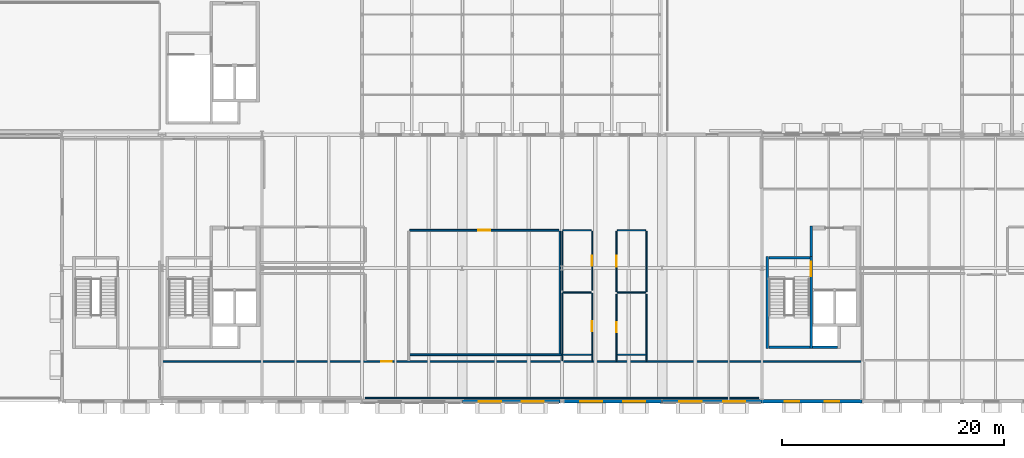
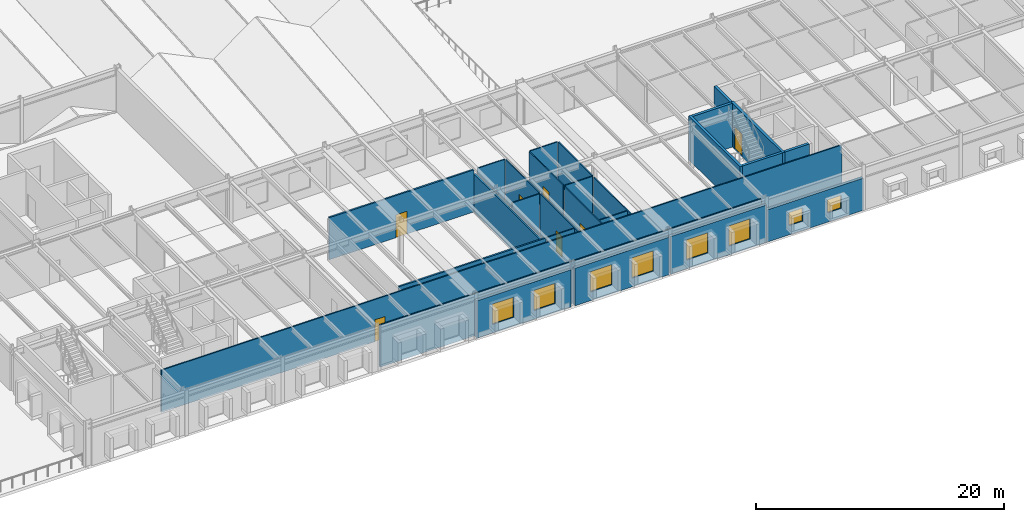
# One storey, part 132 of 142: 29 walls, 8 windows, 7 doors, 15 openings.
"""IFC4 building model written with IfcOpenShell, lengths in metres."""

from ifc_helpers import new_model, si_unit, direction, frame, frame_2d, origin, place, context, subcontext, project, spatial, rectangle, extrude, material, layer, layer_set, type_object, element, fill, save


model = new_model("IFC4")

# Units and contexts
model_context = context("Model", 3, precision=1e-05, world=origin(), true_north=direction((0.0, 1.0)))
body_context = subcontext(model_context, "Body", "Model", "MODEL_VIEW")
ifc_project = project(units=[si_unit("LENGTHUNIT", "METRE"), si_unit("AREAUNIT", "SQUARE_METRE"), si_unit("VOLUMEUNIT", "CUBIC_METRE"), si_unit("PLANEANGLEUNIT", "RADIAN"), si_unit("MASSUNIT", "GRAM", prefix="KILO")], contexts=[model_context])

# Site, building, storey
site_placement = place(None, origin())
site = spatial("IfcSite", under=ifc_project, at=site_placement, CompositionType="ELEMENT")
building_placement = place(site_placement, origin())
building = spatial("IfcBuilding", under=site, at=building_placement, Name="Montelvaro Courts of Justice", CompositionType="ELEMENT")
storey_placement = place(building_placement, frame((0.0, 0.0, 14.39990234375)))
storey = spatial("IfcBuildingStorey", under=building, at=storey_placement, Name="L03", CompositionType="ELEMENT", Elevation=14.39990234375)

# Wall
ifc_material_1 = material(Name="Gypsum board on metal stud")
ifc_layer_1 = layer(ifc_material_1, 0.14990234375)
ifc_layer_set_1 = layer_set([ifc_layer_1], Name="Gypsum board on metal stud")
wall_type_1 = type_object("IfcWallType", Name="ChambersPartition_150", PredefinedType="PARTITIONING", material=ifc_layer_set_1)
wall_1_placement = place(storey_placement, frame((89.955078125, 4.199951171875, 0.0), z_axis=(0.0, 0.0, 1.0), x_axis=(-1.0, 0.0, 0.0)))
element("IfcWall", 1, at=wall_1_placement, inside=storey, type_object=wall_type_1, Name="Interior Partition IW-04 (L03)", PredefinedType="PARTITIONING", context=body_context, shape_type="SweptSolid", body=[
    extrude(rectangle(XDim=13.675048828125, YDim=0.14990234375, at=frame_2d((6.83740234375, 0.0))), origin(), (0.0, 0.0, 1.0), 4.14013671875),
])

# Wall, opening, door
wall_2_placement = place(storey_placement, frame((76.280029296875, 15.39990234375, 0.0), z_axis=(0.0, 0.0, 1.0), x_axis=(1.0, 0.0, 0.0)))
wall_2 = element("IfcWall", 2, at=wall_2_placement, inside=storey, type_object=wall_type_1, Name="Interior Partition IW-04 (L03)", PredefinedType="PARTITIONING", context=body_context, shape_type="SweptSolid", body=[
    extrude(rectangle(XDim=13.43994140625, YDim=0.14990234375, at=frame_2d((6.719970703125, 0.0))), origin(), (0.0, 0.0, 1.0), 4.14013671875),
])
opening_1_placement = place(wall_2_placement, frame((6.195068359375, 0.0, 0.0)))
opening_1 = element("IfcOpeningElement", 3, at=opening_1_placement, cuts=wall_2, Name="Opening D-L03-127", PredefinedType="OPENING", context=body_context, shape_type="SweptSolid", body=[
    extrude(rectangle(XDim=1.050048828125, YDim=2.25, at=frame_2d((0.52490234375, 1.125))), frame((0.0, 0.08984375, 0.0), z_axis=(0.0, -1.0, 0.0), x_axis=(1.0, 0.0, 0.0)), (0.0, 0.0, 1.0), 0.1796875),
])
ifc_material_2 = material(Name="Acoustic oak timber veneer", Category="wood")
door_type_1 = type_object("IfcDoorType", Name="ChamberDoor_105x225", OperationType="NOTDEFINED", PredefinedType="DOOR", material=ifc_material_2)
door_1_placement = place(opening_1_placement, frame((1.050048828125, 0.0, 0.0), z_axis=(0.0, 0.0, 1.0), x_axis=(-1.0, 0.0, 0.0)))
door_1 = element("IfcDoor", 4, at=door_1_placement, inside=storey, type_object=door_type_1, Name="Interior Door D-L03-127 (Judicial Case Conference Room L03)", OperationType="SINGLE_SWING_LEFT", OverallHeight=2.25, OverallWidth=1.050048828125, PredefinedType="DOOR", context=body_context, shape_type="SweptSolid", body=[
    extrude(rectangle(XDim=1.050048828125, YDim=2.25, at=frame_2d((0.52490234375, 1.125))), frame((0.0, 0.02490234375, 0.0), z_axis=(0.0, -1.0, 0.0), x_axis=(1.0, 0.0, 0.0)), (0.0, 0.0, 1.0), 0.050048828125),
])
fill(opening_1, door_1)

# Wall
wall_3_placement = place(storey_placement, frame((89.800048828125, 15.320068359375, 0.0), z_axis=(0.0, 0.0, 1.0), x_axis=(0.0, -1.0, 0.0)))
element("IfcWall", 5, at=wall_3_placement, inside=storey, type_object=wall_type_1, Name="Interior Partition IW-04 (L03)", PredefinedType="PARTITIONING", context=body_context, shape_type="SweptSolid", body=[
    extrude(rectangle(XDim=11.050048828125, YDim=0.14990234375, at=frame_2d((5.52490234375, 0.0))), origin(), (0.0, 0.0, 1.0), 3.735107421875),
])

# Wall, openings, windows
ifc_material_3 = material(Name="White mineral precast concrete C45/55", Category="concrete")
ifc_layer_2 = layer(ifc_material_3, 0.300048828125)
ifc_layer_set_2 = layer_set([ifc_layer_2], Name="White mineral precast concrete C45/55")
wall_type_2 = type_object("IfcWallType", Name="ExtWall_GFRC_300", PredefinedType="SOLIDWALL", material=ifc_layer_set_2)
wall_4_placement = place(storey_placement, frame((81.05810546875, 0.0, 0.0), z_axis=(0.0, 0.0, 1.0), x_axis=(1.0, 0.0, 0.0)))
wall_4 = element("IfcWall", 6, at=wall_4_placement, inside=storey, type_object=wall_type_2, Name="Exterior Facade Wall EW-02 (L03)", PredefinedType="SOLIDWALL", context=body_context, shape_type="SweptSolid", body=[
    extrude(rectangle(XDim=8.763916015625, YDim=0.300048828125, at=frame_2d((4.3818359375, 0.0))), origin(), (0.0, 0.0, 1.0), 3.675048828125),
])
opening_2_placement = place(wall_4_placement, frame((1.4541015625, 0.0, 0.85009765625)))
opening_2 = element("IfcOpeningElement", 7, at=opening_2_placement, cuts=wall_4, Name="Opening WE-11", PredefinedType="OPENING", context=body_context, shape_type="SweptSolid", body=[
    extrude(rectangle(XDim=2.0, YDim=2.0, at=frame_2d((1.0, 1.0))), frame((0.0, 0.1650390625, 0.0), z_axis=(0.0, -1.0, 0.0), x_axis=(1.0, 0.0, 0.0)), (0.0, 0.0, 1.0), 0.329833984375),
])
opening_3_placement = place(wall_4_placement, frame((5.31005859375, 0.0, 0.85009765625)))
opening_3 = element("IfcOpeningElement", 8, at=opening_3_placement, cuts=wall_4, Name="Opening WE-11", PredefinedType="OPENING", context=body_context, shape_type="SweptSolid", body=[
    extrude(rectangle(XDim=2.0, YDim=2.0, at=frame_2d((1.0, 1.0))), frame((0.0, 0.1650390625, 0.0), z_axis=(0.0, -1.0, 0.0), x_axis=(1.0, 0.0, 0.0)), (0.0, 0.0, 1.0), 0.329833984375),
])
ifc_material_4 = material(Name="Low-E solar control double glazing", Category="glass")
window_type_1 = type_object("IfcWindowType", Name="Win_Sq_200x200", PartitioningType="SINGLE_PANEL", PredefinedType="WINDOW", material=ifc_material_4)
window_1_placement = place(opening_2_placement, origin())
window_1 = element("IfcWindow", 9, at=window_1_placement, inside=storey, type_object=window_type_1, Name="Window W-L03-161", OverallHeight=2.0, OverallWidth=2.0, PartitioningType="SINGLE_PANEL", PredefinedType="WINDOW", context=body_context, shape_type="SweptSolid", body=[
    extrude(rectangle(XDim=2.0, YDim=2.0, at=frame_2d((1.0, 1.0))), frame((0.0, 0.030029296875, 0.0), z_axis=(0.0, -1.0, 0.0), x_axis=(1.0, 0.0, 0.0)), (0.0, 0.0, 1.0), 0.06005859375),
])
fill(opening_2, window_1)
window_2_placement = place(opening_3_placement, origin())
window_2 = element("IfcWindow", 10, at=window_2_placement, inside=storey, type_object=window_type_1, Name="Window W-L03-162", OverallHeight=2.0, OverallWidth=2.0, PartitioningType="SINGLE_PANEL", PredefinedType="WINDOW", context=body_context, shape_type="SweptSolid", body=[
    extrude(rectangle(XDim=2.0, YDim=2.0, at=frame_2d((1.0, 1.0))), frame((0.0, 0.030029296875, 0.0), z_axis=(0.0, -1.0, 0.0), x_axis=(1.0, 0.0, 0.0)), (0.0, 0.0, 1.0), 0.06005859375),
])
fill(opening_3, window_2)

wall_5_placement = place(storey_placement, frame((90.177978515625, 0.0, 0.0), z_axis=(0.0, 0.0, 1.0), x_axis=(1.0, 0.0, 0.0)))
wall_5 = element("IfcWall", 11, at=wall_5_placement, inside=storey, type_object=wall_type_2, Name="Exterior Facade Wall EW-02 (L03)", PredefinedType="SOLIDWALL", context=body_context, shape_type="SweptSolid", body=[
    extrude(rectangle(XDim=8.763916015625, YDim=0.300048828125, at=frame_2d((4.3818359375, 0.0))), origin(), (0.0, 0.0, 1.0), 3.675048828125),
])
opening_4_placement = place(wall_5_placement, frame((1.4541015625, 0.0, 0.85009765625)))
opening_4 = element("IfcOpeningElement", 12, at=opening_4_placement, cuts=wall_5, Name="Opening WE-11", PredefinedType="OPENING", context=body_context, shape_type="SweptSolid", body=[
    extrude(rectangle(XDim=2.0, YDim=2.0, at=frame_2d((1.0, 1.0))), frame((0.0, 0.1650390625, 0.0), z_axis=(0.0, -1.0, 0.0), x_axis=(1.0, 0.0, 0.0)), (0.0, 0.0, 1.0), 0.329833984375),
])
opening_5_placement = place(wall_5_placement, frame((5.31005859375, 0.0, 0.85009765625)))
opening_5 = element("IfcOpeningElement", 13, at=opening_5_placement, cuts=wall_5, Name="Opening WE-11", PredefinedType="OPENING", context=body_context, shape_type="SweptSolid", body=[
    extrude(rectangle(XDim=2.0, YDim=2.0, at=frame_2d((1.0, 1.0))), frame((0.0, 0.1650390625, 0.0), z_axis=(0.0, -1.0, 0.0), x_axis=(1.0, 0.0, 0.0)), (0.0, 0.0, 1.0), 0.329833984375),
])
window_3_placement = place(opening_4_placement, origin())
window_3 = element("IfcWindow", 14, at=window_3_placement, inside=storey, type_object=window_type_1, Name="Window W-L03-163", OverallHeight=2.0, OverallWidth=2.0, PartitioningType="SINGLE_PANEL", PredefinedType="WINDOW", context=body_context, shape_type="SweptSolid", body=[
    extrude(rectangle(XDim=2.0, YDim=2.0, at=frame_2d((1.0, 1.0))), frame((0.0, 0.030029296875, 0.0), z_axis=(0.0, -1.0, 0.0), x_axis=(1.0, 0.0, 0.0)), (0.0, 0.0, 1.0), 0.06005859375),
])
fill(opening_4, window_3)
window_4_placement = place(opening_5_placement, origin())
window_4 = element("IfcWindow", 15, at=window_4_placement, inside=storey, type_object=window_type_1, Name="Window W-L03-164", OverallHeight=2.0, OverallWidth=2.0, PartitioningType="SINGLE_PANEL", PredefinedType="WINDOW", context=body_context, shape_type="SweptSolid", body=[
    extrude(rectangle(XDim=2.0, YDim=2.0, at=frame_2d((1.0, 1.0))), frame((0.0, 0.030029296875, 0.0), z_axis=(0.0, -1.0, 0.0), x_axis=(1.0, 0.0, 0.0)), (0.0, 0.0, 1.0), 0.06005859375),
])
fill(opening_5, window_4)

wall_6_placement = place(storey_placement, frame((99.05810546875, 0.0, 0.0), z_axis=(0.0, 0.0, 1.0), x_axis=(1.0, 0.0, 0.0)))
wall_6 = element("IfcWall", 16, at=wall_6_placement, inside=storey, type_object=wall_type_2, Name="Exterior Facade Wall EW-02 (L03)", PredefinedType="SOLIDWALL", context=body_context, shape_type="SweptSolid", body=[
    extrude(rectangle(XDim=8.933837890625, YDim=0.300048828125, at=frame_2d((4.466796875, 0.0))), origin(), (0.0, 0.0, 1.0), 3.675048828125),
])
opening_6_placement = place(wall_6_placement, frame((1.501953125, 0.0, 0.85009765625)))
opening_6 = element("IfcOpeningElement", 17, at=opening_6_placement, cuts=wall_6, Name="Opening WE-11", PredefinedType="OPENING", context=body_context, shape_type="SweptSolid", body=[
    extrude(rectangle(XDim=2.0, YDim=2.0, at=frame_2d((1.0, 1.0))), frame((0.0, 0.1650390625, 0.0), z_axis=(0.0, -1.0, 0.0), x_axis=(1.0, 0.0, 0.0)), (0.0, 0.0, 1.0), 0.329833984375),
])
opening_7_placement = place(wall_6_placement, frame((5.431884765625, 0.0, 0.85009765625)))
opening_7 = element("IfcOpeningElement", 18, at=opening_7_placement, cuts=wall_6, Name="Opening WE-11", PredefinedType="OPENING", context=body_context, shape_type="SweptSolid", body=[
    extrude(rectangle(XDim=2.0, YDim=2.0, at=frame_2d((1.0, 1.0))), frame((0.0, 0.1650390625, 0.0), z_axis=(0.0, -1.0, 0.0), x_axis=(1.0, 0.0, 0.0)), (0.0, 0.0, 1.0), 0.329833984375),
])
window_5_placement = place(opening_6_placement, origin())
window_5 = element("IfcWindow", 19, at=window_5_placement, inside=storey, type_object=window_type_1, Name="Window W-L03-169", OverallHeight=2.0, OverallWidth=2.0, PartitioningType="SINGLE_PANEL", PredefinedType="WINDOW", context=body_context, shape_type="SweptSolid", body=[
    extrude(rectangle(XDim=2.0, YDim=2.0, at=frame_2d((1.0, 1.0))), frame((0.0, 0.030029296875, 0.0), z_axis=(0.0, -1.0, 0.0), x_axis=(1.0, 0.0, 0.0)), (0.0, 0.0, 1.0), 0.06005859375),
])
fill(opening_6, window_5)
window_6_placement = place(opening_7_placement, origin())
window_6 = element("IfcWindow", 20, at=window_6_placement, inside=storey, type_object=window_type_1, Name="Window W-L03-170", OverallHeight=2.0, OverallWidth=2.0, PartitioningType="SINGLE_PANEL", PredefinedType="WINDOW", context=body_context, shape_type="SweptSolid", body=[
    extrude(rectangle(XDim=2.0, YDim=2.0, at=frame_2d((1.0, 1.0))), frame((0.0, 0.030029296875, 0.0), z_axis=(0.0, -1.0, 0.0), x_axis=(1.0, 0.0, 0.0)), (0.0, 0.0, 1.0), 0.06005859375),
])
fill(opening_7, window_6)

wall_7_placement = place(storey_placement, frame((108.008056640625, 0.0, 0.0), z_axis=(0.0, 0.0, 1.0), x_axis=(1.0, 0.0, 0.0)))
wall_7 = element("IfcWall", 21, at=wall_7_placement, inside=storey, type_object=wall_type_2, Name="Exterior Facade Wall EW-02 (L03)", PredefinedType="SOLIDWALL", context=body_context, shape_type="SweptSolid", body=[
    extrude(rectangle(XDim=8.98388671875, YDim=0.300048828125, at=frame_2d((4.491943359375, 0.0))), origin(), (0.0, 0.0, 1.0), 3.1669921875),
])
opening_8_placement = place(wall_7_placement, frame((2.044921875, 0.0, 0.89990234375)))
opening_8 = element("IfcOpeningElement", 22, at=opening_8_placement, cuts=wall_7, Name="Opening WE-18", PredefinedType="OPENING", context=body_context, shape_type="SweptSolid", body=[
    extrude(rectangle(XDim=1.300048828125, YDim=1.300048828125, at=frame_2d((0.64990234375, 0.64990234375))), frame((0.0, 0.1650390625, 0.0), z_axis=(0.0, -1.0, 0.0), x_axis=(1.0, 0.0, 0.0)), (0.0, 0.0, 1.0), 0.329833984375),
])
opening_9_placement = place(wall_7_placement, frame((5.638916015625, 0.0, 0.89990234375)))
opening_9 = element("IfcOpeningElement", 23, at=opening_9_placement, cuts=wall_7, Name="Opening WE-18", PredefinedType="OPENING", context=body_context, shape_type="SweptSolid", body=[
    extrude(rectangle(XDim=1.300048828125, YDim=1.300048828125, at=frame_2d((0.64990234375, 0.64990234375))), frame((0.0, 0.1650390625, 0.0), z_axis=(0.0, -1.0, 0.0), x_axis=(1.0, 0.0, 0.0)), (0.0, 0.0, 1.0), 0.329833984375),
])
window_type_2 = type_object("IfcWindowType", Name="Win_Sq_130x130", PartitioningType="SINGLE_PANEL", PredefinedType="WINDOW", material=ifc_material_4)
window_7_placement = place(opening_8_placement, origin())
window_7 = element("IfcWindow", 24, at=window_7_placement, inside=storey, type_object=window_type_2, Name="Window W-L03-171", OverallHeight=1.300048828125, OverallWidth=1.300048828125, PartitioningType="SINGLE_PANEL", PredefinedType="WINDOW", context=body_context, shape_type="SweptSolid", body=[
    extrude(rectangle(XDim=1.300048828125, YDim=1.300048828125, at=frame_2d((0.64990234375, 0.64990234375))), frame((0.0, 0.030029296875, 0.0), z_axis=(0.0, -1.0, 0.0), x_axis=(1.0, 0.0, 0.0)), (0.0, 0.0, 1.0), 0.06005859375),
])
fill(opening_8, window_7)
window_8_placement = place(opening_9_placement, origin())
window_8 = element("IfcWindow", 25, at=window_8_placement, inside=storey, type_object=window_type_2, Name="Window W-L03-172", OverallHeight=1.300048828125, OverallWidth=1.300048828125, PartitioningType="SINGLE_PANEL", PredefinedType="WINDOW", context=body_context, shape_type="SweptSolid", body=[
    extrude(rectangle(XDim=1.300048828125, YDim=1.300048828125, at=frame_2d((0.64990234375, 0.64990234375))), frame((0.0, 0.030029296875, 0.0), z_axis=(0.0, -1.0, 0.0), x_axis=(1.0, 0.0, 0.0)), (0.0, 0.0, 1.0), 0.06005859375),
])
fill(opening_9, window_8)

# Wall
ifc_layer_3 = layer(ifc_material_1, 0.1201171875)
ifc_layer_set_3 = layer_set([ifc_layer_3], Name="Gypsum board on metal stud")
wall_type_3 = type_object("IfcWallType", Name="OfficePartition_120", PredefinedType="PARTITIONING", material=ifc_layer_set_3)
wall_8_placement = place(storey_placement, frame((107.720947265625, 0.300048828125, 0.0), z_axis=(0.0, 0.0, 1.0), x_axis=(-1.0, 0.0, 0.0)))
element("IfcWall", 26, at=wall_8_placement, inside=storey, type_object=wall_type_3, Name="Interior Partition IW-05 (L03)", PredefinedType="PARTITIONING", context=body_context, shape_type="SweptSolid", body=[
    extrude(rectangle(XDim=35.44189453125, YDim=0.1201171875, at=frame_2d((17.720947265625, 0.0))), origin(), (0.0, 0.0, 1.0), 4.14013671875),
])

# Wall, opening, door
wall_9_placement = place(storey_placement, frame((53.8701171875, 3.60009765625, 0.0), z_axis=(0.0, 0.0, 1.0), x_axis=(1.0, 0.0, 0.0)))
wall_9 = element("IfcWall", 27, at=wall_9_placement, inside=storey, type_object=wall_type_3, Name="Interior Partition IW-05 (L03)", PredefinedType="PARTITIONING", context=body_context, shape_type="SweptSolid", body=[
    extrude(rectangle(XDim=63.25, YDim=0.1201171875, at=frame_2d((31.625, 0.0))), origin(), (0.0, 0.0, 1.0), 4.14013671875),
])
opening_10_placement = place(wall_9_placement, frame((19.85498046875, 0.0, 0.0)))
opening_10 = element("IfcOpeningElement", 28, at=opening_10_placement, cuts=wall_9, Name="Opening D-L03-108", PredefinedType="OPENING", context=body_context, shape_type="SweptSolid", body=[
    extrude(rectangle(XDim=0.949951171875, YDim=2.14990234375, at=frame_2d((0.47509765625, 1.074951171875))), frame((0.0, 0.074951171875, 0.0), z_axis=(0.0, -1.0, 0.0), x_axis=(1.0, 0.0, 0.0)), (0.0, 0.0, 1.0), 0.14990234375),
])
door_type_2 = type_object("IfcDoorType", Name="OfficeDoor_095x215", OperationType="NOTDEFINED", PredefinedType="DOOR", material=ifc_material_2)
door_2_placement = place(opening_10_placement, origin())
door_2 = element("IfcDoor", 29, at=door_2_placement, inside=storey, type_object=door_type_2, Name="Interior Door D-L03-108 (South Judicial Gallery L03)", OperationType="SINGLE_SWING_LEFT", OverallHeight=2.14990234375, OverallWidth=0.949951171875, PredefinedType="DOOR", context=body_context, shape_type="SweptSolid", body=[
    extrude(rectangle(XDim=0.949951171875, YDim=2.14990234375, at=frame_2d((0.47509765625, 1.074951171875))), frame((0.0, 0.02490234375, 0.0), z_axis=(0.0, -1.0, 0.0), x_axis=(1.0, 0.0, 0.0)), (0.0, 0.0, 1.0), 0.050048828125),
])
fill(opening_10, door_2)

# Wall
ifc_material_5 = material(Name="Concrete C35/45", Category="concrete")
ifc_layer_4 = layer(ifc_material_5, 0.239990234375)
ifc_layer_set_4 = layer_set([ifc_layer_4], Name="Concrete C35/45")
wall_type_4 = type_object("IfcWallType", Name="ShaftWall_240", PredefinedType="SHEAR", material=ifc_layer_set_4)
wall_10_placement = place(storey_placement, frame((108.47998046875, 4.760009765625, 0.0), z_axis=(0.0, 0.0, 1.0), x_axis=(0.0, 1.0, 0.0)))
element("IfcWall", 30, at=wall_10_placement, inside=storey, type_object=wall_type_4, Name="Protected Stair Structural Wall ST-K2-W (L03)", PredefinedType="SHEAR", context=body_context, shape_type="SweptSolid", body=[
    extrude(rectangle(XDim=8.280029296875, YDim=0.239990234375, at=frame_2d((4.14013671875, 0.0))), origin(), (0.0, 0.0, 1.0), 4.31005859375),
])

# Wall, opening, door
wall_11_placement = place(storey_placement, frame((112.419921875, 4.760009765625, 0.0), z_axis=(0.0, 0.0, 1.0), x_axis=(0.0, 1.0, 0.0)))
wall_11 = element("IfcWall", 31, at=wall_11_placement, inside=storey, type_object=wall_type_4, Name="Protected Stair Structural Wall ST-K2-E (L03)", PredefinedType="SHEAR", context=body_context, shape_type="SweptSolid", body=[
    extrude(rectangle(XDim=8.280029296875, YDim=0.239990234375, at=frame_2d((4.14013671875, 0.0))), origin(), (0.0, 0.0, 1.0), 4.31005859375),
])
opening_11_placement = place(wall_11_placement, frame((6.489990234375, 0.0, 0.0)))
opening_11 = element("IfcOpeningElement", 32, at=opening_11_placement, cuts=wall_11, Name="Opening DS-L03-K2", PredefinedType="OPENING", context=body_context, shape_type="SweptSolid", body=[
    extrude(rectangle(XDim=1.300048828125, YDim=2.199951171875, at=frame_2d((0.64990234375, 1.10009765625))), frame((0.0, 0.134765625, 0.0), z_axis=(0.0, -1.0, 0.0), x_axis=(1.0, 0.0, 0.0)), (0.0, 0.0, 1.0), 0.269775390625),
])
ifc_material_6 = material(Name="Galvanised steel S355 security door", Category="steel")
door_type_3 = type_object("IfcDoorType", Name="StairFireDoor_130x220", OperationType="NOTDEFINED", PredefinedType="DOOR", material=ifc_material_6)
door_3_placement = place(opening_11_placement, frame((1.300048828125, 0.0, 0.0), z_axis=(0.0, 0.0, 1.0), x_axis=(-1.0, 0.0, 0.0)))
door_3 = element("IfcDoor", 33, at=door_3_placement, inside=storey, type_object=door_type_3, Name="Protected Stair Fire Door DS-L03-K2", OperationType="SINGLE_SWING_LEFT", OverallHeight=2.199951171875, OverallWidth=1.300048828125, PredefinedType="DOOR", context=body_context, shape_type="SweptSolid", body=[
    extrude(rectangle(XDim=1.300048828125, YDim=2.199951171875, at=frame_2d((0.64990234375, 1.10009765625))), frame((0.0, 0.02490234375, 0.0), z_axis=(0.0, -1.0, 0.0), x_axis=(1.0, 0.0, 0.0)), (0.0, 0.0, 1.0), 0.050048828125),
])
fill(opening_11, door_3)

# Walls
for number, where, z_axis, x_axis, name in (
    (34, (108.60009765625, 4.8798828125, 0.0), (0.0, 0.0, 1.0), (1.0, 0.0, 0.0), "Protected Stair Structural Wall ST-K2-S (L03)"),
    (35, (108.60009765625, 12.919921875, 0.0), (0.0, 0.0, 1.0), (1.0, 0.0, 0.0), "Protected Stair Structural Wall ST-K2-N (L03)"),
):
    element("IfcWall", number, at=place(storey_placement, frame(where, z_axis=z_axis, x_axis=x_axis)), inside=storey, type_object=wall_type_4, Name=name, PredefinedType="SHEAR", context=body_context, shape_type="SweptSolid", body=[
        extrude(rectangle(XDim=3.699951171875, YDim=0.239990234375, at=frame_2d((1.85009765625, 0.0))), origin(), (0.0, 0.0, 1.0), 4.31005859375),
    ])
wall_12_placement = place(storey_placement, frame((112.419921875, 13.0400390625, 0.0), z_axis=(0.0, 0.0, 1.0), x_axis=(0.0, 1.0, 0.0)))
element("IfcWall", 36, at=wall_12_placement, inside=storey, type_object=wall_type_4, Name="Core Lobby Structural Wall K2-W (L03)", PredefinedType="SHEAR", context=body_context, shape_type="SweptSolid", body=[
    extrude(rectangle(XDim=2.760009765625, YDim=0.239990234375, at=frame_2d((1.3798828125, 0.0))), origin(), (0.0, 0.0, 1.0), 4.16015625),
])
wall_13_placement = place(storey_placement, frame((112.5400390625, 4.8798828125, 0.0), z_axis=(0.0, 0.0, 1.0), x_axis=(1.0, 0.0, 0.0)))
element("IfcWall", 37, at=wall_13_placement, inside=storey, type_object=wall_type_4, Name="Service Riser South Shaft Wall K2 (L03)", PredefinedType="SHEAR", context=body_context, shape_type="SweptSolid", body=[
    extrude(rectangle(XDim=2.260009765625, YDim=0.239990234375, at=frame_2d((1.1298828125, 0.0))), origin(), (0.0, 0.0, 1.0), 4.31005859375),
])
ifc_material_7 = material(Name="Moisture-resistant cement board")
ifc_layer_5 = layer(ifc_material_7, 0.10009765625)
ifc_layer_set_5 = layer_set([ifc_layer_5], Name="Moisture-resistant cement board")
wall_type_5 = type_object("IfcWallType", Name="WetWall_100", PredefinedType="PARTITIONING", material=ifc_layer_set_5)
wall_14_placement = place(storey_placement, frame((92.6201171875, 4.199951171875, 0.0), z_axis=(0.0, 0.0, 1.0), x_axis=(-1.0, 0.0, 0.0)))
element("IfcWall", 38, at=wall_14_placement, inside=storey, type_object=wall_type_5, Name="Interior Partition IW-06 (L03)", PredefinedType="PARTITIONING", context=body_context, shape_type="SweptSolid", body=[
    extrude(rectangle(XDim=2.5400390625, YDim=0.10009765625, at=frame_2d((1.27001953125, 0.0))), origin(), (0.0, 0.0, 1.0), 4.14013671875),
])
wall_15_placement = place(storey_placement, frame((90.0, 3.655029296875, 0.0), z_axis=(0.0, 0.0, 1.0), x_axis=(0.0, 1.0, 0.0)))
element("IfcWall", 39, at=wall_15_placement, inside=storey, type_object=wall_type_5, Name="Interior Partition IW-06 (L03)", PredefinedType="PARTITIONING", context=body_context, shape_type="SweptSolid", body=[
    extrude(rectangle(XDim=6.06494140625, YDim=0.10009765625, at=frame_2d((3.032470703125, 0.0))), origin(), (0.0, 0.0, 1.0), 3.735107421875),
])
wall_16_placement = place(storey_placement, frame((90.080078125, 9.800048828125, 0.0), z_axis=(0.0, 0.0, 1.0), x_axis=(1.0, 0.0, 0.0)))
element("IfcWall", 40, at=wall_16_placement, inside=storey, type_object=wall_type_5, Name="Interior Partition IW-06 (L03)", PredefinedType="PARTITIONING", context=body_context, shape_type="SweptSolid", body=[
    extrude(rectangle(XDim=2.5400390625, YDim=0.10009765625, at=frame_2d((1.27001953125, 0.0))), origin(), (0.0, 0.0, 1.0), 4.14013671875),
])

# Wall, opening, door
wall_17_placement = place(storey_placement, frame((92.699951171875, 9.719970703125, 0.0), z_axis=(0.0, 0.0, 1.0), x_axis=(0.0, -1.0, 0.0)))
wall_17 = element("IfcWall", 41, at=wall_17_placement, inside=storey, type_object=wall_type_5, Name="Interior Partition IW-06 (L03)", PredefinedType="PARTITIONING", context=body_context, shape_type="SweptSolid", body=[
    extrude(rectangle(XDim=6.06494140625, YDim=0.10009765625, at=frame_2d((3.032470703125, 0.0))), origin(), (0.0, 0.0, 1.0), 4.14013671875),
])
opening_12_placement = place(wall_17_placement, frame((2.529052734375, 0.0, 0.0)))
opening_12 = element("IfcOpeningElement", 42, at=opening_12_placement, cuts=wall_17, Name="Opening D-L03-123", PredefinedType="OPENING", context=body_context, shape_type="SweptSolid", body=[
    extrude(rectangle(XDim=0.89990234375, YDim=2.050048828125, at=frame_2d((0.449951171875, 1.02490234375))), frame((0.0, 0.06494140625, 0.0), z_axis=(0.0, -1.0, 0.0), x_axis=(1.0, 0.0, 0.0)), (0.0, 0.0, 1.0), 0.1298828125),
])
door_type_4 = type_object("IfcDoorType", Name="RestroomDoor_090x205", OperationType="NOTDEFINED", PredefinedType="DOOR", material=ifc_material_2)
door_4_placement = place(opening_12_placement, frame((0.89990234375, 0.0, 0.0), z_axis=(0.0, 0.0, 1.0), x_axis=(-1.0, 0.0, 0.0)))
door_4 = element("IfcDoor", 43, at=door_4_placement, inside=storey, type_object=door_type_4, Name="Interior Door D-L03-123 (Third Floor Male Restroom)", OperationType="SINGLE_SWING_LEFT", OverallHeight=2.050048828125, OverallWidth=0.89990234375, PredefinedType="DOOR", context=body_context, shape_type="SweptSolid", body=[
    extrude(rectangle(XDim=0.89990234375, YDim=2.050048828125, at=frame_2d((0.449951171875, 1.02490234375))), frame((0.0, 0.02490234375, 0.0), z_axis=(0.0, -1.0, 0.0), x_axis=(1.0, 0.0, 0.0)), (0.0, 0.0, 1.0), 0.050048828125),
])
fill(opening_12, door_4)

# Wall
wall_18_placement = place(storey_placement, frame((90.080078125, 15.39990234375, 0.0), z_axis=(0.0, 0.0, 1.0), x_axis=(1.0, 0.0, 0.0)))
element("IfcWall", 44, at=wall_18_placement, inside=storey, type_object=wall_type_5, Name="Interior Partition IW-06 (L03)", PredefinedType="PARTITIONING", context=body_context, shape_type="SweptSolid", body=[
    extrude(rectangle(XDim=2.5400390625, YDim=0.10009765625, at=frame_2d((1.27001953125, 0.0))), origin(), (0.0, 0.0, 1.0), 4.14013671875),
])

# Wall, opening, door
wall_19_placement = place(storey_placement, frame((92.699951171875, 15.320068359375, 0.0), z_axis=(0.0, 0.0, 1.0), x_axis=(0.0, -1.0, 0.0)))
wall_19 = element("IfcWall", 45, at=wall_19_placement, inside=storey, type_object=wall_type_5, Name="Interior Partition IW-06 (L03)", PredefinedType="PARTITIONING", context=body_context, shape_type="SweptSolid", body=[
    extrude(rectangle(XDim=5.340087890625, YDim=0.10009765625, at=frame_2d((2.669921875, 0.0))), origin(), (0.0, 0.0, 1.0), 4.14013671875),
])
opening_13_placement = place(wall_19_placement, frame((2.219970703125, 0.0, 0.0)))
opening_13 = element("IfcOpeningElement", 46, at=opening_13_placement, cuts=wall_19, Name="Opening D-L03-124", PredefinedType="OPENING", context=body_context, shape_type="SweptSolid", body=[
    extrude(rectangle(XDim=0.89990234375, YDim=2.050048828125, at=frame_2d((0.449951171875, 1.02490234375))), frame((0.0, 0.06494140625, 0.0), z_axis=(0.0, -1.0, 0.0), x_axis=(1.0, 0.0, 0.0)), (0.0, 0.0, 1.0), 0.1298828125),
])
door_5_placement = place(opening_13_placement, origin())
door_5 = element("IfcDoor", 47, at=door_5_placement, inside=storey, type_object=door_type_4, Name="Interior Door D-L03-124 (Third Floor Female Restroom)", OperationType="SINGLE_SWING_RIGHT", OverallHeight=2.050048828125, OverallWidth=0.89990234375, PredefinedType="DOOR", context=body_context, shape_type="SweptSolid", body=[
    extrude(rectangle(XDim=0.89990234375, YDim=2.050048828125, at=frame_2d((0.449951171875, 1.02490234375))), frame((0.0, 0.02490234375, 0.0), z_axis=(0.0, -1.0, 0.0), x_axis=(1.0, 0.0, 0.0)), (0.0, 0.0, 1.0), 0.050048828125),
])
fill(opening_13, door_5)

# Walls
wall_20_placement = place(storey_placement, frame((90.0, 9.97998046875, 0.0), z_axis=(0.0, 0.0, 1.0), x_axis=(0.0, 1.0, 0.0)))
element("IfcWall", 48, at=wall_20_placement, inside=storey, type_object=wall_type_5, Name="Interior Partition IW-06 (L03)", PredefinedType="PARTITIONING", context=body_context, shape_type="SweptSolid", body=[
    extrude(rectangle(XDim=5.340087890625, YDim=0.10009765625, at=frame_2d((2.669921875, 0.0))), origin(), (0.0, 0.0, 1.0), 3.735107421875),
])
wall_21_placement = place(storey_placement, frame((94.97998046875, 15.39990234375, 0.0), z_axis=(0.0, 0.0, 1.0), x_axis=(1.0, 0.0, 0.0)))
element("IfcWall", 49, at=wall_21_placement, inside=storey, type_object=wall_type_5, Name="Interior Partition IW-06 (L03)", PredefinedType="PARTITIONING", context=body_context, shape_type="SweptSolid", body=[
    extrude(rectangle(XDim=2.5400390625, YDim=0.10009765625, at=frame_2d((1.27001953125, 0.0))), origin(), (0.0, 0.0, 1.0), 4.14013671875),
])
wall_22_placement = place(storey_placement, frame((97.60009765625, 15.320068359375, 0.0), z_axis=(0.0, 0.0, 1.0), x_axis=(0.0, -1.0, 0.0)))
element("IfcWall", 50, at=wall_22_placement, inside=storey, type_object=wall_type_5, Name="Interior Partition IW-06 (L03)", PredefinedType="PARTITIONING", context=body_context, shape_type="SweptSolid", body=[
    extrude(rectangle(XDim=5.440185546875, YDim=0.10009765625, at=frame_2d((2.72021484375, 0.0))), origin(), (0.0, 0.0, 1.0), 4.14013671875),
])
wall_23_placement = place(storey_placement, frame((97.52001953125, 9.800048828125, 0.0), z_axis=(0.0, 0.0, 1.0), x_axis=(-1.0, 0.0, 0.0)))
element("IfcWall", 51, at=wall_23_placement, inside=storey, type_object=wall_type_5, Name="Interior Partition IW-06 (L03)", PredefinedType="PARTITIONING", context=body_context, shape_type="SweptSolid", body=[
    extrude(rectangle(XDim=2.5400390625, YDim=0.10009765625, at=frame_2d((1.27001953125, 0.0))), origin(), (0.0, 0.0, 1.0), 4.14013671875),
])

# Wall, opening, door
wall_24_placement = place(storey_placement, frame((94.89990234375, 9.8798828125, 0.0), z_axis=(0.0, 0.0, 1.0), x_axis=(0.0, 1.0, 0.0)))
wall_24 = element("IfcWall", 52, at=wall_24_placement, inside=storey, type_object=wall_type_5, Name="Interior Partition IW-06 (L03)", PredefinedType="PARTITIONING", context=body_context, shape_type="SweptSolid", body=[
    extrude(rectangle(XDim=5.440185546875, YDim=0.10009765625, at=frame_2d((2.72021484375, 0.0))), origin(), (0.0, 0.0, 1.0), 4.14013671875),
])
opening_14_placement = place(wall_24_placement, frame((2.219970703125, 0.0, 0.0)))
opening_14 = element("IfcOpeningElement", 53, at=opening_14_placement, cuts=wall_24, Name="Opening D-L03-125", PredefinedType="OPENING", context=body_context, shape_type="SweptSolid", body=[
    extrude(rectangle(XDim=1.0, YDim=2.10009765625, at=frame_2d((0.5, 1.050048828125))), frame((0.0, 0.06494140625, 0.0), z_axis=(0.0, -1.0, 0.0), x_axis=(1.0, 0.0, 0.0)), (0.0, 0.0, 1.0), 0.1298828125),
])
door_type_5 = type_object("IfcDoorType", Name="AccessibleWCDoor_100x210", OperationType="NOTDEFINED", PredefinedType="DOOR", material=ifc_material_2)
door_6_placement = place(opening_14_placement, frame((1.0, 0.0, 0.0), z_axis=(0.0, 0.0, 1.0), x_axis=(-1.0, 0.0, 0.0)))
door_6 = element("IfcDoor", 54, at=door_6_placement, inside=storey, type_object=door_type_5, Name="Interior Door D-L03-125 (Third Floor Accessible WC)", OperationType="SINGLE_SWING_LEFT", OverallHeight=2.10009765625, OverallWidth=1.0, PredefinedType="DOOR", context=body_context, shape_type="SweptSolid", body=[
    extrude(rectangle(XDim=1.0, YDim=2.10009765625, at=frame_2d((0.5, 1.050048828125))), frame((0.0, 0.02490234375, 0.0), z_axis=(0.0, -1.0, 0.0), x_axis=(1.0, 0.0, 0.0)), (0.0, 0.0, 1.0), 0.050048828125),
])
fill(opening_14, door_6)

# Walls
wall_25_placement = place(storey_placement, frame((97.60009765625, 9.6201171875, 0.0), z_axis=(0.0, 0.0, 1.0), x_axis=(0.0, -1.0, 0.0)))
element("IfcWall", 55, at=wall_25_placement, inside=storey, type_object=wall_type_5, Name="Interior Partition IW-06 (L03)", PredefinedType="PARTITIONING", context=body_context, shape_type="SweptSolid", body=[
    extrude(rectangle(XDim=5.965087890625, YDim=0.10009765625, at=frame_2d((2.982421875, 0.0))), origin(), (0.0, 0.0, 1.0), 4.14013671875),
])
wall_26_placement = place(storey_placement, frame((97.554931640625, 4.199951171875, 0.0), z_axis=(0.0, 0.0, 1.0), x_axis=(-1.0, 0.0, 0.0)))
element("IfcWall", 56, at=wall_26_placement, inside=storey, type_object=wall_type_5, Name="Interior Partition IW-06 (L03)", PredefinedType="PARTITIONING", context=body_context, shape_type="SweptSolid", body=[
    extrude(rectangle(XDim=2.574951171875, YDim=0.10009765625, at=frame_2d((1.28759765625, 0.0))), origin(), (0.0, 0.0, 1.0), 4.14013671875),
])

# Wall, opening, door
wall_27_placement = place(storey_placement, frame((94.89990234375, 3.655029296875, 0.0), z_axis=(0.0, 0.0, 1.0), x_axis=(0.0, 1.0, 0.0)))
wall_27 = element("IfcWall", 57, at=wall_27_placement, inside=storey, type_object=wall_type_5, Name="Interior Partition IW-06 (L03)", PredefinedType="PARTITIONING", context=body_context, shape_type="SweptSolid", body=[
    extrude(rectangle(XDim=5.965087890625, YDim=0.10009765625, at=frame_2d((2.982421875, 0.0))), origin(), (0.0, 0.0, 1.0), 4.14013671875),
])
opening_15_placement = place(wall_27_placement, frame((2.5859375, 0.0, 0.0)))
opening_15 = element("IfcOpeningElement", 58, at=opening_15_placement, cuts=wall_27, Name="Opening D-L03-126", PredefinedType="OPENING", context=body_context, shape_type="SweptSolid", body=[
    extrude(rectangle(XDim=0.89990234375, YDim=2.050048828125, at=frame_2d((0.449951171875, 1.02490234375))), frame((0.0, 0.06494140625, 0.0), z_axis=(0.0, -1.0, 0.0), x_axis=(1.0, 0.0, 0.0)), (0.0, 0.0, 1.0), 0.1298828125),
])
door_7_placement = place(opening_15_placement, origin())
door_7 = element("IfcDoor", 59, at=door_7_placement, inside=storey, type_object=door_type_4, Name="Interior Door D-L03-126 (Third Floor Cleaners' Store)", OperationType="SINGLE_SWING_RIGHT", OverallHeight=2.050048828125, OverallWidth=0.89990234375, PredefinedType="DOOR", context=body_context, shape_type="SweptSolid", body=[
    extrude(rectangle(XDim=0.89990234375, YDim=2.050048828125, at=frame_2d((0.449951171875, 1.02490234375))), frame((0.0, 0.02490234375, 0.0), z_axis=(0.0, -1.0, 0.0), x_axis=(1.0, 0.0, 0.0)), (0.0, 0.0, 1.0), 0.050048828125),
])
fill(opening_15, door_7)

save(model, "model.ifc")
